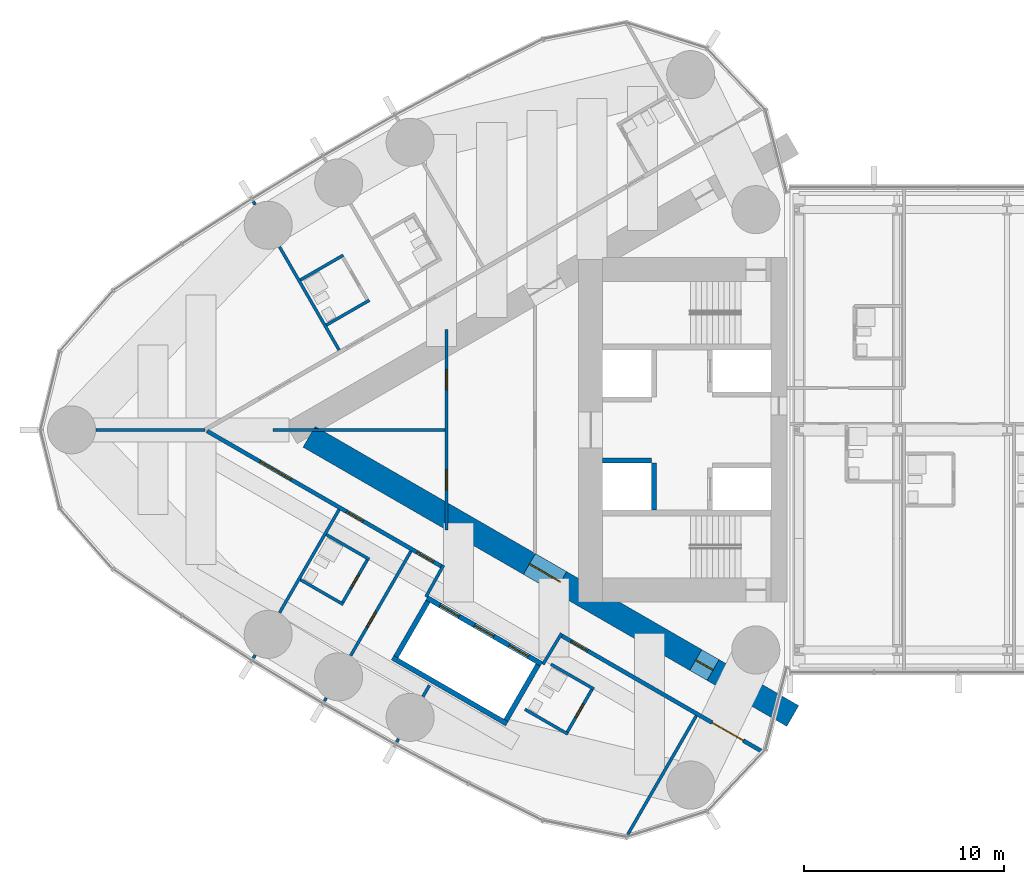
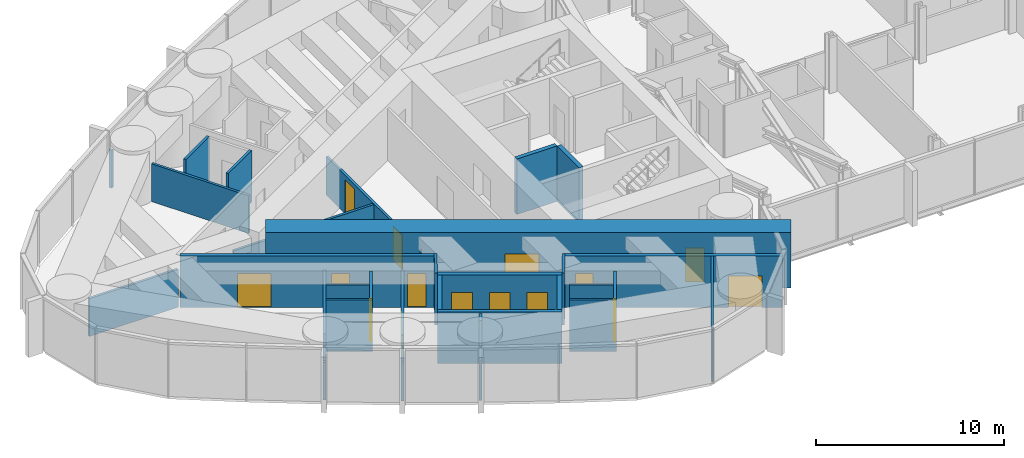
# One storey, part 15 of 24: 31 walls, 15 doors, 15 openings.
"""IFC4 building model written with IfcOpenShell, lengths in metres."""

from ifc_helpers import new_model, si_unit, direction, frame, frame_2d, origin, place, context, subcontext, project, spatial, rectangle, extrude, material, layer, layer_set, type_object, element, fill, save


model = new_model("IFC4")

# Units and contexts
model_context = context("Model", 3, precision=1e-05, world=origin(), true_north=direction((0.0, 1.0)))
body_context = subcontext(model_context, "Body", "Model", "MODEL_VIEW")
ifc_project = project(units=[si_unit("LENGTHUNIT", "METRE"), si_unit("AREAUNIT", "SQUARE_METRE"), si_unit("VOLUMEUNIT", "CUBIC_METRE"), si_unit("PLANEANGLEUNIT", "RADIAN"), si_unit("MASSUNIT", "GRAM", prefix="KILO")], contexts=[model_context])

# Site, building, storey
site_placement = place(None, origin())
site = spatial("IfcSite", under=ifc_project, at=site_placement, CompositionType="ELEMENT")
building_placement = place(site_placement, origin())
building = spatial("IfcBuilding", under=site, at=building_placement, Name="Lancet Gate Hotel", CompositionType="ELEMENT")
storey_placement = place(building_placement, frame((0.0, 0.0, 244.10009765625)))
storey = spatial("IfcBuildingStorey", under=building, at=storey_placement, Name="L65", CompositionType="ELEMENT", Elevation=244.10009765625)

# Walls
ifc_material_1 = material(Name="Moisture resistant board partition")
ifc_layer_1 = layer(ifc_material_1, 0.14990234375)
ifc_layer_set_1 = layer_set([ifc_layer_1], Name="Bathroom wall 150")
wall_type_1 = type_object("IfcWallType", Name="Bathroom wall 150", PredefinedType="PARTITIONING", material=ifc_layer_set_1)
for number, where, z_axis, x_axis, name in (
    (1, (-49.657958984375, 8.723876953125, 0.0), (0.0, 0.0, 1.0), (-0.866031185235, -0.4999899861, 0.0), "T1 bathroom wall 150 L65"),
    (2, (-48.35791015625, 6.47216796875, 0.0), (0.0, 0.0, 1.0), (-0.866073894602, -0.499916002032, 0.0), "T1 bathroom wall 150 L65"),
    (3, (-49.657958984375, -8.723876953125, 0.0), (0.0, 0.0, 1.0), (-0.866031185235, 0.4999899861, 0.0), "T1 bathroom wall 150 L65"),
):
    element("IfcWall", number, at=place(storey_placement, frame(where, z_axis=z_axis, x_axis=x_axis)), inside=storey, type_object=wall_type_1, Name=name, PredefinedType="PARTITIONING", context=body_context, shape_type="SweptSolid", body=[
        extrude(rectangle(XDim=2.47509765625, YDim=0.14990234375, at=frame_2d((1.237548828125, 0.0))), origin(), (0.0, 0.0, 1.0), 3.349853515625),
    ])

# Wall, opening, door
wall_1_placement = place(storey_placement, frame((-48.4228515625, -6.434814453125, 0.0), z_axis=(0.0, 0.0, 1.0), x_axis=(-0.500006934395, -0.866021400173, 0.0)))
wall_1 = element("IfcWall", 4, at=wall_1_placement, inside=storey, type_object=wall_type_1, Name="T1 bathroom wall 150 L65", PredefinedType="PARTITIONING", context=body_context, shape_type="SweptSolid", body=[
    extrude(rectangle(XDim=2.60009765625, YDim=0.14990234375, at=frame_2d((1.300048828125, 0.0))), origin(), (0.0, 0.0, 1.0), 3.349853515625),
])
opening_1_placement = place(wall_1_placement, frame((0.89990234375, 0.0, 0.0)))
opening_1 = element("IfcOpeningElement", 5, at=opening_1_placement, cuts=wall_1, Name="Opening 6507-B", PredefinedType="OPENING", context=body_context, shape_type="SweptSolid", body=[
    extrude(rectangle(XDim=0.800048828125, YDim=2.199951171875, at=frame_2d((0.39990234375, 1.10009765625))), frame((0.0, 0.0849609375, 0.0), z_axis=(0.0, -1.0, 0.0), x_axis=(1.0, 0.0, 0.0)), (0.0, 0.0, 1.0), 0.169921875),
])
ifc_material_2 = material(Name="Timber door set", Category="wood")
door_type_1 = type_object("IfcDoorType", Name="Bathroom door 800", OperationType="SINGLE_SWING_RIGHT", PredefinedType="DOOR", material=ifc_material_2)
door_1_placement = place(opening_1_placement, origin())
door_1 = element("IfcDoor", 6, at=door_1_placement, inside=storey, type_object=door_type_1, Name="6507-B", OperationType="SINGLE_SWING_RIGHT", OverallHeight=2.199951171875, OverallWidth=0.800048828125, PredefinedType="DOOR", context=body_context, shape_type="SweptSolid", body=[
    extrude(rectangle(XDim=0.800048828125, YDim=2.199951171875, at=frame_2d((0.39990234375, 1.10009765625))), frame((0.0, 0.02490234375, 0.0), z_axis=(0.0, -1.0, 0.0), x_axis=(1.0, 0.0, 0.0)), (0.0, 0.0, 1.0), 0.050048828125),
])
fill(opening_1, door_1)

# Walls
wall_2_placement = place(storey_placement, frame((-48.35791015625, -6.47216796875, 0.0), z_axis=(0.0, 0.0, 1.0), x_axis=(-0.866073894602, 0.499916002032, 0.0)))
element("IfcWall", 7, at=wall_2_placement, inside=storey, type_object=wall_type_1, Name="T1 bathroom wall 150 L65", PredefinedType="PARTITIONING", context=body_context, shape_type="SweptSolid", body=[
    extrude(rectangle(XDim=2.47509765625, YDim=0.14990234375, at=frame_2d((1.237548828125, 0.0))), origin(), (0.0, 0.0, 1.0), 2.5),
])
wall_3_placement = place(storey_placement, frame((-38.43798828125, -15.20166015625, 0.0), z_axis=(0.0, 0.0, 1.0), x_axis=(-0.866073894602, 0.499916002032, 0.0)))
element("IfcWall", 8, at=wall_3_placement, inside=storey, type_object=wall_type_1, Name="T1 bathroom wall 150 L65", PredefinedType="PARTITIONING", context=body_context, shape_type="SweptSolid", body=[
    extrude(rectangle(XDim=2.47509765625, YDim=0.14990234375, at=frame_2d((1.237548828125, 0.0))), origin(), (0.0, 0.0, 1.0), 3.349853515625),
])

# Wall, opening, door
wall_4_placement = place(storey_placement, frame((-37.202880859375, -12.91259765625, 0.0), z_axis=(0.0, 0.0, 1.0), x_axis=(-0.500006934395, -0.866021400173, 0.0)))
wall_4 = element("IfcWall", 9, at=wall_4_placement, inside=storey, type_object=wall_type_1, Name="T1 bathroom wall 150 L65", PredefinedType="PARTITIONING", context=body_context, shape_type="SweptSolid", body=[
    extrude(rectangle(XDim=2.60009765625, YDim=0.14990234375, at=frame_2d((1.300048828125, 0.0))), origin(), (0.0, 0.0, 1.0), 3.349853515625),
])
opening_2_placement = place(wall_4_placement, frame((0.89990234375, 0.0, 0.0)))
opening_2 = element("IfcOpeningElement", 10, at=opening_2_placement, cuts=wall_4, Name="Opening 6509-B", PredefinedType="OPENING", context=body_context, shape_type="SweptSolid", body=[
    extrude(rectangle(XDim=0.800048828125, YDim=2.199951171875, at=frame_2d((0.39990234375, 1.10009765625))), frame((0.0, 0.0849609375, 0.0), z_axis=(0.0, -1.0, 0.0), x_axis=(1.0, 0.0, 0.0)), (0.0, 0.0, 1.0), 0.169921875),
])
door_2_placement = place(opening_2_placement, origin())
door_2 = element("IfcDoor", 11, at=door_2_placement, inside=storey, type_object=door_type_1, Name="6509-B", OperationType="SINGLE_SWING_RIGHT", OverallHeight=2.199951171875, OverallWidth=0.800048828125, PredefinedType="DOOR", context=body_context, shape_type="SweptSolid", body=[
    extrude(rectangle(XDim=0.800048828125, YDim=2.199951171875, at=frame_2d((0.39990234375, 1.10009765625))), frame((0.0, 0.02490234375, 0.0), z_axis=(0.0, -1.0, 0.0), x_axis=(1.0, 0.0, 0.0)), (0.0, 0.0, 1.0), 0.050048828125),
])
fill(opening_2, door_2)

# Wall
wall_5_placement = place(storey_placement, frame((-37.137939453125, -12.9501953125, 0.0), z_axis=(0.0, 0.0, 1.0), x_axis=(-0.866031185235, 0.4999899861, 0.0)))
element("IfcWall", 12, at=wall_5_placement, inside=storey, type_object=wall_type_1, Name="T1 bathroom wall 150 L65", PredefinedType="PARTITIONING", context=body_context, shape_type="SweptSolid", body=[
    extrude(rectangle(XDim=2.47509765625, YDim=0.14990234375, at=frame_2d((1.237548828125, 0.0))), origin(), (0.0, 0.0, 1.0), 2.5),
])

# Wall, openings, doors
ifc_material_3 = material(Name="Concrete C70/85", Category="concrete")
ifc_layer_2 = layer(ifc_material_3, 1.199951171875)
ifc_layer_set_2 = layer_set([ifc_layer_2], Name="Buttress wall 1200")
wall_type_2 = type_object("IfcWallType", Name="Buttress wall 1200", PredefinedType="SHEAR", material=ifc_layer_set_2)
wall_6_placement = place(storey_placement, frame((-27.199951171875, -14.300048828125, 0.0), z_axis=(0.0, 0.0, 1.0), x_axis=(-0.866024021859, 0.500002393557, 0.0)))
wall_6 = element("IfcWall", 13, at=wall_6_placement, inside=storey, type_object=wall_type_2, Name="T1 buttress wall N L65", PredefinedType="SHEAR", context=body_context, shape_type="SweptSolid", body=[
    extrude(rectangle(XDim=27.906982421875, YDim=1.199951171875, at=frame_2d((13.95361328125, 0.0))), origin(), (0.0, 0.0, 1.0), 3.599853515625),
])
opening_3_placement = place(wall_6_placement, frame((4.60009765625, 0.0, 0.0)))
opening_3 = element("IfcOpeningElement", 14, at=opening_3_placement, cuts=wall_6, Name="Opening T1-L65-LN", PredefinedType="OPENING", context=body_context, shape_type="SweptSolid", body=[
    extrude(rectangle(XDim=1.0, YDim=2.199951171875, at=frame_2d((0.5, 1.10009765625))), frame((0.0, 0.60986328125, 0.0), z_axis=(0.0, -1.0, 0.0), x_axis=(1.0, 0.0, 0.0)), (0.0, 0.0, 1.0), 1.219970703125),
])
opening_4_placement = place(wall_6_placement, frame((13.39453125, 0.0, 0.0)))
opening_4 = element("IfcOpeningElement", 15, at=opening_4_placement, cuts=wall_6, Name="Opening T1-L65-LHN", PredefinedType="OPENING", context=body_context, shape_type="SweptSolid", body=[
    extrude(rectangle(XDim=1.800048828125, YDim=2.199951171875, at=frame_2d((0.89990234375, 1.10009765625))), frame((0.0, 0.60986328125, 0.0), z_axis=(0.0, -1.0, 0.0), x_axis=(1.0, 0.0, 0.0)), (0.0, 0.0, 1.0), 1.219970703125),
])
ifc_material_4 = material(Name="Timber door set", Category="wood")
door_type_2 = type_object("IfcDoorType", Name="Lobby double door 1800", OperationType="DOUBLE_DOOR_SINGLE_SWING", PredefinedType="DOOR", material=ifc_material_4)
door_3_placement = place(opening_4_placement, origin())
door_3 = element("IfcDoor", 16, at=door_3_placement, inside=storey, type_object=door_type_2, Name="T1-L65-LHN", OperationType="DOUBLE_DOOR_SINGLE_SWING", OverallHeight=2.199951171875, OverallWidth=1.800048828125, PredefinedType="DOOR", context=body_context, shape_type="SweptSolid", body=[
    extrude(rectangle(XDim=1.800048828125, YDim=2.199951171875, at=frame_2d((0.89990234375, 1.10009765625))), frame((0.0, 0.02490234375, 0.0), z_axis=(0.0, -1.0, 0.0), x_axis=(1.0, 0.0, 0.0)), (0.0, 0.0, 1.0), 0.050048828125),
])
fill(opening_4, door_3)
ifc_material_5 = material(Name="Timber door set", Category="wood")
door_type_3 = type_object("IfcDoorType", Name="Stair lobby door 1000", OperationType="SINGLE_SWING_LEFT", PredefinedType="DOOR", material=ifc_material_5)
door_4_placement = place(opening_3_placement, origin())
door_4 = element("IfcDoor", 17, at=door_4_placement, inside=storey, type_object=door_type_3, Name="T1-L65-LN", OperationType="SINGLE_SWING_LEFT", OverallHeight=2.199951171875, OverallWidth=1.0, PredefinedType="DOOR", context=body_context, shape_type="SweptSolid", body=[
    extrude(rectangle(XDim=1.0, YDim=2.199951171875, at=frame_2d((0.5, 1.10009765625))), frame((0.0, 0.02490234375, 0.0), z_axis=(0.0, -1.0, 0.0), x_axis=(1.0, 0.0, 0.0)), (0.0, 0.0, 1.0), 0.050048828125),
])
fill(opening_3, door_4)

ifc_material_6 = material(Name="Gypsum board partition")
ifc_layer_3 = layer(ifc_material_6, 0.199951171875)
ifc_layer_set_3 = layer_set([ifc_layer_3], Name="Corridor wall 200")
wall_type_3 = type_object("IfcWallType", Name="Corridor wall 200", PredefinedType="PARTITIONING", material=ifc_layer_set_3)
wall_7_placement = place(storey_placement, frame((-28.737060546875, -16.068359375, 0.0), z_axis=(0.0, 0.0, 1.0), x_axis=(-0.866029399323, 0.49999307946, 0.0)))
wall_7 = element("IfcWall", 18, at=wall_7_placement, inside=storey, type_object=wall_type_3, Name="T1 corridor wall 200 L65", PredefinedType="PARTITIONING", context=body_context, shape_type="SweptSolid", body=[
    extrude(rectangle(XDim=11.609619140625, YDim=0.199951171875, at=frame_2d((5.8046875, 0.0))), origin(), (0.0, 0.0, 1.0), 3.349853515625),
])
opening_5_placement = place(wall_7_placement, frame((1.080078125, 0.0, 0.0)))
opening_5 = element("IfcOpeningElement", 19, at=opening_5_placement, cuts=wall_7, Name="Opening 6510-E", PredefinedType="OPENING", context=body_context, shape_type="SweptSolid", body=[
    extrude(rectangle(XDim=1.800048828125, YDim=2.0400390625, at=frame_2d((0.89990234375, 1.02001953125))), frame((0.0, 0.10986328125, 0.0), z_axis=(0.0, -1.0, 0.0), x_axis=(1.0, 0.0, 0.0)), (0.0, 0.0, 1.0), 0.219970703125),
])
opening_6_placement = place(wall_7_placement, frame((10.0595703125, 0.0, 0.0)))
opening_6 = element("IfcOpeningElement", 20, at=opening_6_placement, cuts=wall_7, Name="Opening 6509-E", PredefinedType="OPENING", context=body_context, shape_type="SweptSolid", body=[
    extrude(rectangle(XDim=0.949951171875, YDim=2.199951171875, at=frame_2d((0.47509765625, 1.10009765625))), frame((0.0, 0.10986328125, 0.0), z_axis=(0.0, -1.0, 0.0), x_axis=(1.0, 0.0, 0.0)), (0.0, 0.0, 1.0), 0.219970703125),
])
ifc_material_7 = material(Name="Timber door set", Category="wood")
door_type_4 = type_object("IfcDoorType", Name="Double door 1800, 2040 high", OperationType="DOUBLE_DOOR_SINGLE_SWING", PredefinedType="DOOR", material=ifc_material_7)
door_5_placement = place(opening_5_placement, origin())
door_5 = element("IfcDoor", 21, at=door_5_placement, inside=storey, type_object=door_type_4, Name="6510-E", OperationType="DOUBLE_DOOR_SINGLE_SWING", OverallHeight=2.0400390625, OverallWidth=1.800048828125, PredefinedType="DOOR", context=body_context, shape_type="SweptSolid", body=[
    extrude(rectangle(XDim=1.800048828125, YDim=2.0400390625, at=frame_2d((0.89990234375, 1.02001953125))), frame((0.0, 0.02490234375, 0.0), z_axis=(0.0, -1.0, 0.0), x_axis=(1.0, 0.0, 0.0)), (0.0, 0.0, 1.0), 0.050048828125),
])
fill(opening_5, door_5)
ifc_material_8 = material(Name="Timber door set", Category="wood")
door_type_5 = type_object("IfcDoorType", Name="Guest room entry door 950", OperationType="SINGLE_SWING_LEFT", PredefinedType="DOOR", material=ifc_material_8)
door_6_placement = place(opening_6_placement, origin())
door_6 = element("IfcDoor", 22, at=door_6_placement, inside=storey, type_object=door_type_5, Name="6509-E", OperationType="SINGLE_SWING_LEFT", OverallHeight=2.199951171875, OverallWidth=0.949951171875, PredefinedType="DOOR", context=body_context, shape_type="SweptSolid", body=[
    extrude(rectangle(XDim=0.949951171875, YDim=2.199951171875, at=frame_2d((0.47509765625, 1.10009765625))), frame((0.0, 0.02490234375, 0.0), z_axis=(0.0, -1.0, 0.0), x_axis=(1.0, 0.0, 0.0)), (0.0, 0.0, 1.0), 0.050048828125),
])
fill(opening_6, door_6)

wall_8_placement = place(storey_placement, frame((-44.715087890625, -6.843505859375, 0.0), z_axis=(0.0, 0.0, 1.0), x_axis=(-0.866025261224, 0.500000246922, 0.0)))
wall_8 = element("IfcWall", 23, at=wall_8_placement, inside=storey, type_object=wall_type_3, Name="T1 corridor wall 200 L65", PredefinedType="PARTITIONING", context=body_context, shape_type="SweptSolid", body=[
    extrude(rectangle(XDim=13.56689453125, YDim=0.199951171875, at=frame_2d((6.783447265625, 0.0))), origin(), (0.0, 0.0, 1.0), 3.349853515625),
])
opening_7_placement = place(wall_8_placement, frame((8.71630859375, 0.0, 0.0)))
opening_7 = element("IfcOpeningElement", 24, at=opening_7_placement, cuts=wall_8, Name="Opening 6506-E", PredefinedType="OPENING", context=body_context, shape_type="SweptSolid", body=[
    extrude(rectangle(XDim=1.800048828125, YDim=2.199951171875, at=frame_2d((0.89990234375, 1.10009765625))), frame((0.0, 0.10986328125, 0.0), z_axis=(0.0, -1.0, 0.0), x_axis=(1.0, 0.0, 0.0)), (0.0, 0.0, 1.0), 0.219970703125),
])
opening_8_placement = place(wall_8_placement, frame((4.5654296875, 0.0, 0.0)))
opening_8 = element("IfcOpeningElement", 25, at=opening_8_placement, cuts=wall_8, Name="Opening 6507-E", PredefinedType="OPENING", context=body_context, shape_type="SweptSolid", body=[
    extrude(rectangle(XDim=0.949951171875, YDim=2.199951171875, at=frame_2d((0.47509765625, 1.10009765625))), frame((0.0, 0.10986328125, 0.0), z_axis=(0.0, -1.0, 0.0), x_axis=(1.0, 0.0, 0.0)), (0.0, 0.0, 1.0), 0.219970703125),
])
opening_9_placement = place(wall_8_placement, frame((0.5, 0.0, 0.0)))
opening_9 = element("IfcOpeningElement", 26, at=opening_9_placement, cuts=wall_8, Name="Opening T1-L65-LO1", PredefinedType="OPENING", context=body_context, shape_type="SweptSolid", body=[
    extrude(rectangle(XDim=0.967041015625, YDim=2.199951171875, at=frame_2d((0.4833984375, 1.10009765625))), frame((0.0, 0.10986328125, 0.0), z_axis=(0.0, -1.0, 0.0), x_axis=(1.0, 0.0, 0.0)), (0.0, 0.0, 1.0), 0.219970703125),
])
ifc_material_9 = material(Name="Timber door set", Category="wood")
door_type_6 = type_object("IfcDoorType", Name="Double door 1800", OperationType="DOUBLE_DOOR_SINGLE_SWING", PredefinedType="DOOR", material=ifc_material_9)
door_7_placement = place(opening_7_placement, origin())
door_7 = element("IfcDoor", 27, at=door_7_placement, inside=storey, type_object=door_type_6, Name="6506-E", OperationType="DOUBLE_DOOR_SINGLE_SWING", OverallHeight=2.199951171875, OverallWidth=1.800048828125, PredefinedType="DOOR", context=body_context, shape_type="SweptSolid", body=[
    extrude(rectangle(XDim=1.800048828125, YDim=2.199951171875, at=frame_2d((0.89990234375, 1.10009765625))), frame((0.0, 0.02490234375, 0.0), z_axis=(0.0, -1.0, 0.0), x_axis=(1.0, 0.0, 0.0)), (0.0, 0.0, 1.0), 0.050048828125),
])
fill(opening_7, door_7)
door_8_placement = place(opening_8_placement, origin())
door_8 = element("IfcDoor", 28, at=door_8_placement, inside=storey, type_object=door_type_5, Name="6507-E", OperationType="SINGLE_SWING_LEFT", OverallHeight=2.199951171875, OverallWidth=0.949951171875, PredefinedType="DOOR", context=body_context, shape_type="SweptSolid", body=[
    extrude(rectangle(XDim=0.949951171875, YDim=2.199951171875, at=frame_2d((0.47509765625, 1.10009765625))), frame((0.0, 0.02490234375, 0.0), z_axis=(0.0, -1.0, 0.0), x_axis=(1.0, 0.0, 0.0)), (0.0, 0.0, 1.0), 0.050048828125),
])
fill(opening_8, door_8)
door_9_placement = place(opening_9_placement, origin())
door_9 = element("IfcDoor", 29, at=door_9_placement, inside=storey, type_object=door_type_5, Name="T1-L65-LO1", OperationType="SINGLE_SWING_LEFT", OverallHeight=2.199951171875, OverallWidth=0.967041015625, PredefinedType="DOOR", context=body_context, shape_type="SweptSolid", body=[
    extrude(rectangle(XDim=0.967041015625, YDim=2.199951171875, at=frame_2d((0.4833984375, 1.10009765625))), frame((0.0, 0.02490234375, 0.0), z_axis=(0.0, -1.0, 0.0), x_axis=(1.0, 0.0, 0.0)), (0.0, 0.0, 1.0), 0.050048828125),
])
fill(opening_9, door_9)

ifc_material_10 = material(Name="Gypsum board partition")
ifc_layer_4 = layer(ifc_material_10, 0.25)
ifc_layer_set_4 = layer_set([ifc_layer_4], Name="Lift shaft partition 250")
wall_type_4 = type_object("IfcWallType", Name="Lift shaft partition 250", PredefinedType="PARTITIONING", material=ifc_layer_set_4)
wall_9_placement = place(storey_placement, frame((-39.757568359375, -11.697265625, 0.0), z_axis=(0.0, 0.0, 1.0), x_axis=(-0.866024194504, 0.500002094529, 0.0)))
wall_9 = element("IfcWall", 30, at=wall_9_placement, inside=storey, type_object=wall_type_4, Name="T1 lift shaft wall HL L65", PredefinedType="PARTITIONING", context=body_context, shape_type="SweptSolid", body=[
    extrude(rectangle(XDim=6.60009765625, YDim=0.25, at=frame_2d((3.300048828125, 0.0))), origin(), (0.0, 0.0, 1.0), 3.349853515625),
])
opening_10_placement = place(wall_9_placement, frame((0.75, 0.0, 0.0)))
opening_10 = element("IfcOpeningElement", 31, at=opening_10_placement, cuts=wall_9, Name="Opening T1-HL1-L65", PredefinedType="OPENING", context=body_context, shape_type="SweptSolid", body=[
    extrude(rectangle(XDim=1.10009765625, YDim=2.199951171875, at=frame_2d((0.550048828125, 1.10009765625))), frame((0.0, 0.135009765625, 0.0), z_axis=(0.0, -1.0, 0.0), x_axis=(1.0, 0.0, 0.0)), (0.0, 0.0, 1.0), 0.27001953125),
])
opening_11_placement = place(wall_9_placement, frame((2.75, 0.0, 0.0)))
opening_11 = element("IfcOpeningElement", 32, at=opening_11_placement, cuts=wall_9, Name="Opening T1-HL2-L65", PredefinedType="OPENING", context=body_context, shape_type="SweptSolid", body=[
    extrude(rectangle(XDim=1.10009765625, YDim=2.199951171875, at=frame_2d((0.550048828125, 1.10009765625))), frame((0.0, 0.135009765625, 0.0), z_axis=(0.0, -1.0, 0.0), x_axis=(1.0, 0.0, 0.0)), (0.0, 0.0, 1.0), 0.27001953125),
])
opening_12_placement = place(wall_9_placement, frame((4.75, 0.0, 0.0)))
opening_12 = element("IfcOpeningElement", 33, at=opening_12_placement, cuts=wall_9, Name="Opening T1-HL3-L65", PredefinedType="OPENING", context=body_context, shape_type="SweptSolid", body=[
    extrude(rectangle(XDim=1.10009765625, YDim=2.199951171875, at=frame_2d((0.550048828125, 1.10009765625))), frame((0.0, 0.135009765625, 0.0), z_axis=(0.0, -1.0, 0.0), x_axis=(1.0, 0.0, 0.0)), (0.0, 0.0, 1.0), 0.27001953125),
])
ifc_material_11 = material(Name="Steel door set", Category="steel")
door_type_7 = type_object("IfcDoorType", Name="Lift landing door 1100", OperationType="DOUBLE_DOOR_SLIDING", PredefinedType="USERDEFINED", material=ifc_material_11)
door_10_placement = place(opening_10_placement, origin())
door_10 = element("IfcDoor", 34, at=door_10_placement, inside=storey, type_object=door_type_7, Name="T1-HL1-L65", ObjectType="LIFT LANDING DOOR", OperationType="DOUBLE_DOOR_SLIDING", OverallHeight=2.199951171875, OverallWidth=1.10009765625, PredefinedType="USERDEFINED", context=body_context, shape_type="SweptSolid", body=[
    extrude(rectangle(XDim=1.10009765625, YDim=2.199951171875, at=frame_2d((0.550048828125, 1.10009765625))), frame((0.0, 0.02490234375, 0.0), z_axis=(0.0, -1.0, 0.0), x_axis=(1.0, 0.0, 0.0)), (0.0, 0.0, 1.0), 0.050048828125),
])
fill(opening_10, door_10)
door_11_placement = place(opening_11_placement, origin())
door_11 = element("IfcDoor", 35, at=door_11_placement, inside=storey, type_object=door_type_7, Name="T1-HL2-L65", ObjectType="LIFT LANDING DOOR", OperationType="DOUBLE_DOOR_SLIDING", OverallHeight=2.199951171875, OverallWidth=1.10009765625, PredefinedType="USERDEFINED", context=body_context, shape_type="SweptSolid", body=[
    extrude(rectangle(XDim=1.10009765625, YDim=2.199951171875, at=frame_2d((0.550048828125, 1.10009765625))), frame((0.0, 0.02490234375, 0.0), z_axis=(0.0, -1.0, 0.0), x_axis=(1.0, 0.0, 0.0)), (0.0, 0.0, 1.0), 0.050048828125),
])
fill(opening_11, door_11)
door_12_placement = place(opening_12_placement, origin())
door_12 = element("IfcDoor", 36, at=door_12_placement, inside=storey, type_object=door_type_7, Name="T1-HL3-L65", ObjectType="LIFT LANDING DOOR", OperationType="DOUBLE_DOOR_SLIDING", OverallHeight=2.199951171875, OverallWidth=1.10009765625, PredefinedType="USERDEFINED", context=body_context, shape_type="SweptSolid", body=[
    extrude(rectangle(XDim=1.10009765625, YDim=2.199951171875, at=frame_2d((0.550048828125, 1.10009765625))), frame((0.0, 0.02490234375, 0.0), z_axis=(0.0, -1.0, 0.0), x_axis=(1.0, 0.0, 0.0)), (0.0, 0.0, 1.0), 0.050048828125),
])
fill(opening_12, door_12)

# Walls
wall_10_placement = place(storey_placement, frame((-41.482421875, -14.685791015625, 0.0), z_axis=(0.0, 0.0, 1.0), x_axis=(-0.86603344179, 0.499986077507, 0.0)))
element("IfcWall", 37, at=wall_10_placement, inside=storey, type_object=wall_type_4, Name="T1 lift shaft wall HL L65", PredefinedType="PARTITIONING", context=body_context, shape_type="SweptSolid", body=[
    extrude(rectangle(XDim=6.600341796875, YDim=0.25, at=frame_2d((3.30029296875, 0.0))), origin(), (0.0, 0.0, 1.0), 3.349853515625),
])
for number, where, z_axis, x_axis, name in (
    (38, (-39.92822265625, -11.742919921875, 0.0), (0.0, 0.0, 1.0), (-0.499929347863, -0.866066190972, 0.0), "T1 lift shaft wall HL L65"),
    (39, (-45.427734375, -8.568115234375, 0.0), (0.0, 0.0, 1.0), (-0.499929347863, -0.866066190972, 0.0), "T1 lift shaft wall HL L65"),
):
    element("IfcWall", number, at=place(storey_placement, frame(where, z_axis=z_axis, x_axis=x_axis)), inside=storey, type_object=wall_type_4, Name=name, PredefinedType="PARTITIONING", context=body_context, shape_type="SweptSolid", body=[
        extrude(rectangle(XDim=3.20068359375, YDim=0.25, at=frame_2d((1.600341796875, 0.0))), origin(), (0.0, 0.0, 1.0), 3.349853515625),
    ])
ifc_material_12 = material(Name="Concrete C50/60", Category="concrete")
ifc_layer_5 = layer(ifc_material_12, 0.25)
ifc_layer_set_5 = layer_set([ifc_layer_5], Name="Lift shaft wall 250")
wall_type_5 = type_object("IfcWallType", Name="Lift shaft wall 250", PredefinedType="SHEAR", material=ifc_layer_set_5)
wall_11_placement = place(storey_placement, frame((-34.125, -1.64990234375, 0.0), z_axis=(0.0, 0.0, 1.0), x_axis=(0.0, -1.0, 0.0)))
element("IfcWall", 40, at=wall_11_placement, inside=storey, type_object=wall_type_5, Name="T1 core wall row2-N L65", PredefinedType="SHEAR", context=body_context, shape_type="SweptSolid", body=[
    extrude(rectangle(XDim=2.35009765625, YDim=0.25, at=frame_2d((1.175048828125, 0.0))), origin(), (0.0, 0.0, 1.0), 3.599853515625),
])
wall_12_placement = place(storey_placement, frame((-34.25, -1.52490234375, 0.0), z_axis=(0.0, 0.0, 1.0), x_axis=(-1.0, 0.0, 0.0)))
element("IfcWall", 41, at=wall_12_placement, inside=storey, type_object=wall_type_5, Name="T1 core wall pass2-N L65", PredefinedType="SHEAR", context=body_context, shape_type="SweptSolid", body=[
    extrude(rectangle(XDim=2.449951171875, YDim=0.25, at=frame_2d((1.22509765625, 0.0))), origin(), (0.0, 0.0, 1.0), 3.599853515625),
])
ifc_material_13 = material(Name="Gypsum board partition")
ifc_layer_6 = layer(ifc_material_13, 0.14990234375)
ifc_layer_set_6 = layer_set([ifc_layer_6], Name="Party wall 150")
wall_type_6 = type_object("IfcWallType", Name="Party wall 150", PredefinedType="PARTITIONING", material=ifc_layer_set_6)
wall_13_placement = place(storey_placement, frame((-49.866455078125, 3.98486328125, 0.0), z_axis=(0.0, 0.0, 1.0), x_axis=(-0.500000694566, 0.866025002776, 0.0)))
element("IfcWall", 42, at=wall_13_placement, inside=storey, type_object=wall_type_6, Name="T1 party wall 150 L65", PredefinedType="PARTITIONING", context=body_context, shape_type="SweptSolid", body=[
    extrude(rectangle(XDim=5.94970703125, YDim=0.14990234375, at=frame_2d((2.974853515625, 0.0))), origin(), (0.0, 0.0, 1.0), 2.449951171875),
])
wall_14_placement = place(storey_placement, frame((-54.061279296875, 11.25048828125, 0.0), z_axis=(0.0, 0.0, 1.0), x_axis=(-0.500391173478, 0.865799441849, 0.0)))
element("IfcWall", 43, at=wall_14_placement, inside=storey, type_object=wall_type_6, Name="T1 party wall 150 L65", PredefinedType="PARTITIONING", context=body_context, shape_type="SweptSolid", body=[
    extrude(rectangle(XDim=0.178955078125, YDim=0.14990234375, at=frame_2d((0.08935546875, 0.0))), origin(), (0.0, 0.0, 1.0), 2.449951171875),
])
wall_15_placement = place(storey_placement, frame((-32.021728515625, -14.287353515625, 0.0), z_axis=(0.0, 0.0, 1.0), x_axis=(-0.50000019414, -0.866025291697, 0.0)))
element("IfcWall", 44, at=wall_15_placement, inside=storey, type_object=wall_type_6, Name="T1 party wall 150 L65", PredefinedType="PARTITIONING", context=body_context, shape_type="SweptSolid", body=[
    extrude(rectangle(XDim=6.84814453125, YDim=0.14990234375, at=frame_2d((3.424072265625, 0.0))), origin(), (0.0, 0.0, 1.0), 3.349853515625),
])
wall_16_placement = place(storey_placement, frame((-46.89794921875, -15.438720703125, 0.0), z_axis=(0.0, 0.0, 1.0), x_axis=(-0.500232303069, -0.865891241997, 0.0)))
element("IfcWall", 45, at=wall_16_placement, inside=storey, type_object=wall_type_6, Name="T1 party wall 150 L65", PredefinedType="PARTITIONING", context=body_context, shape_type="SweptSolid", body=[
    extrude(rectangle(XDim=0.1796875, YDim=0.14990234375, at=frame_2d((0.08984375, 0.0))), origin(), (0.0, 0.0, 1.0), 2.449951171875),
])

# Wall, opening, door
wall_17_placement = place(storey_placement, frame((-46.273681640625, -6.05908203125, 0.0), z_axis=(0.0, 0.0, 1.0), x_axis=(-0.500020471368, -0.866013584312, 0.0)))
wall_17 = element("IfcWall", 46, at=wall_17_placement, inside=storey, type_object=wall_type_6, Name="T1 party wall 150 L65", PredefinedType="PARTITIONING", context=body_context, shape_type="SweptSolid", body=[
    extrude(rectangle(XDim=6.027587890625, YDim=0.14990234375, at=frame_2d((3.013671875, 0.0))), origin(), (0.0, 0.0, 1.0), 2.449951171875),
])
opening_13_placement = place(wall_17_placement, frame((3.5, 0.0, 0.0)))
opening_13 = element("IfcOpeningElement", 47, at=opening_13_placement, cuts=wall_17, Name="Opening 6507C", PredefinedType="OPENING", context=body_context, shape_type="SweptSolid", body=[
    extrude(rectangle(XDim=0.89990234375, YDim=2.199951171875, at=frame_2d((0.449951171875, 1.10009765625))), frame((0.0, 0.0849609375, 0.0), z_axis=(0.0, -1.0, 0.0), x_axis=(1.0, 0.0, 0.0)), (0.0, 0.0, 1.0), 0.169921875),
])
ifc_material_14 = material(Name="Timber door set", Category="wood")
door_type_8 = type_object("IfcDoorType", Name="Connecting door 900", OperationType="SINGLE_SWING_LEFT", PredefinedType="DOOR", material=ifc_material_14)
door_13_placement = place(opening_13_placement, origin())
door_13 = element("IfcDoor", 48, at=door_13_placement, inside=storey, type_object=door_type_8, Name="6507C", OperationType="SINGLE_SWING_LEFT", OverallHeight=2.199951171875, OverallWidth=0.89990234375, PredefinedType="DOOR", context=body_context, shape_type="SweptSolid", body=[
    extrude(rectangle(XDim=0.89990234375, YDim=2.199951171875, at=frame_2d((0.449951171875, 1.10009765625))), frame((0.0, 0.02490234375, 0.0), z_axis=(0.0, -1.0, 0.0), x_axis=(1.0, 0.0, 0.0)), (0.0, 0.0, 1.0), 0.050048828125),
])
fill(opening_13, door_13)

# Walls
wall_18_placement = place(storey_placement, frame((-50.507568359375, -13.392333984375, 0.0), z_axis=(0.0, 0.0, 1.0), x_axis=(-0.499644091975, -0.866230789891, 0.0)))
element("IfcWall", 49, at=wall_18_placement, inside=storey, type_object=wall_type_6, Name="T1 party wall 150 L65", PredefinedType="PARTITIONING", context=body_context, shape_type="SweptSolid", body=[
    extrude(rectangle(XDim=0.179931640625, YDim=0.14990234375, at=frame_2d((0.08984375, 0.0))), origin(), (0.0, 0.0, 1.0), 2.449951171875),
])
wall_19_placement = place(storey_placement, frame((-49.866455078125, -3.98486328125, 0.0), z_axis=(0.0, 0.0, 1.0), x_axis=(-0.500000694566, -0.866025002776, 0.0)))
element("IfcWall", 50, at=wall_19_placement, inside=storey, type_object=wall_type_6, Name="T1 party wall 150 L65", PredefinedType="PARTITIONING", context=body_context, shape_type="SweptSolid", body=[
    extrude(rectangle(XDim=5.94970703125, YDim=0.14990234375, at=frame_2d((2.974853515625, 0.0))), origin(), (0.0, 0.0, 1.0), 2.449951171875),
])
wall_20_placement = place(storey_placement, frame((-54.061279296875, -11.25048828125, 0.0), z_axis=(0.0, 0.0, 1.0), x_axis=(-0.500391173478, -0.865799441849, 0.0)))
element("IfcWall", 51, at=wall_20_placement, inside=storey, type_object=wall_type_6, Name="T1 party wall 150 L65", PredefinedType="PARTITIONING", context=body_context, shape_type="SweptSolid", body=[
    extrude(rectangle(XDim=0.178955078125, YDim=0.14990234375, at=frame_2d((0.08935546875, 0.0))), origin(), (0.0, 0.0, 1.0), 2.449951171875),
])
wall_21_placement = place(storey_placement, frame((-56.568359375, 0.0, 0.0), z_axis=(0.0, 0.0, 1.0), x_axis=(-1.0, 0.0, 0.0)))
element("IfcWall", 52, at=wall_21_placement, inside=storey, type_object=wall_type_6, Name="T1 party wall 150 L65", PredefinedType="PARTITIONING", context=body_context, shape_type="SweptSolid", body=[
    extrude(rectangle(XDim=5.446044921875, YDim=0.14990234375, at=frame_2d((2.72314453125, 0.0))), origin(), (0.0, 0.0, 1.0), 2.449951171875),
])
wall_22_placement = place(storey_placement, frame((-45.355712890625, -12.767333984375, 0.0), z_axis=(0.0, 0.0, 1.0), x_axis=(-0.499886366516, -0.866091000168, 0.0)))
element("IfcWall", 53, at=wall_22_placement, inside=storey, type_object=wall_type_6, Name="T1 party wall 150 L65", PredefinedType="PARTITIONING", context=body_context, shape_type="SweptSolid", body=[
    extrude(rectangle(XDim=0.644775390625, YDim=0.14990234375, at=frame_2d((0.322265625, 0.0))), origin(), (0.0, 0.0, 1.0), 3.349853515625),
])
ifc_material_15 = material(Name="Gypsum board partition")
ifc_layer_7 = layer(ifc_material_15, 0.14990234375)
ifc_layer_set_7 = layer_set([ifc_layer_7], Name="Service room wall 150")
wall_type_7 = type_object("IfcWallType", Name="Service room wall 150", PredefinedType="PARTITIONING", material=ifc_layer_set_7)
for number, where, z_axis, x_axis, name in (
    (54, (-39.6826171875, -11.717529296875, 0.0), (0.0, 0.0, 1.0), (0.514336634837, 0.857588377991, 0.0), "T1 service room wall 150 L65"),
    (55, (-44.652099609375, -6.764404296875, 0.0), (0.0, 0.0, 1.0), (-0.485424724123, -0.874278466629, 0.0), "T1 service room wall 150 L65"),
):
    element("IfcWall", number, at=place(storey_placement, frame(where, z_axis=z_axis, x_axis=x_axis)), inside=storey, type_object=wall_type_7, Name=name, PredefinedType="PARTITIONING", context=body_context, shape_type="SweptSolid", body=[
        extrude(rectangle(XDim=1.80517578125, YDim=0.14990234375, at=frame_2d((0.902587890625, 0.0))), origin(), (0.0, 0.0, 1.0), 3.349853515625),
    ])

# Wall, openings, doors
wall_23_placement = place(storey_placement, frame((-44.5, 5.004638671875, 0.0), z_axis=(0.0, 0.0, 1.0), x_axis=(0.0, -1.0, 0.0)))
wall_23 = element("IfcWall", 56, at=wall_23_placement, inside=storey, type_object=wall_type_7, Name="T1 service room wall 150 L65", PredefinedType="PARTITIONING", context=body_context, shape_type="SweptSolid", body=[
    extrude(rectangle(XDim=10.00927734375, YDim=0.14990234375, at=frame_2d((5.004638671875, 0.0))), origin(), (0.0, 0.0, 1.0), 2.5),
])
opening_14_placement = place(wall_23_placement, frame((2.002197265625, 0.0, 0.0)))
opening_14 = element("IfcOpeningElement", 57, at=opening_14_placement, cuts=wall_23, Name="Opening T1-L65-SV", PredefinedType="OPENING", context=body_context, shape_type="SweptSolid", body=[
    extrude(rectangle(XDim=1.0, YDim=2.199951171875, at=frame_2d((0.5, 1.10009765625))), frame((0.0, 0.0849609375, 0.0), z_axis=(0.0, -1.0, 0.0), x_axis=(1.0, 0.0, 0.0)), (0.0, 0.0, 1.0), 0.169921875),
])
opening_15_placement = place(wall_23_placement, frame((7.0068359375, 0.0, 0.0)))
opening_15 = element("IfcOpeningElement", 58, at=opening_15_placement, cuts=wall_23, Name="Opening T1-L65-SV2", PredefinedType="OPENING", context=body_context, shape_type="SweptSolid", body=[
    extrude(rectangle(XDim=1.0, YDim=2.199951171875, at=frame_2d((0.5, 1.10009765625))), frame((0.0, 0.0849609375, 0.0), z_axis=(0.0, -1.0, 0.0), x_axis=(1.0, 0.0, 0.0)), (0.0, 0.0, 1.0), 0.169921875),
])
ifc_material_16 = material(Name="Timber door set", Category="wood")
door_type_9 = type_object("IfcDoorType", Name="Service door 1000", OperationType="SINGLE_SWING_LEFT", PredefinedType="DOOR", material=ifc_material_16)
door_14_placement = place(opening_14_placement, origin())
door_14 = element("IfcDoor", 59, at=door_14_placement, inside=storey, type_object=door_type_9, Name="T1-L65-SV", OperationType="SINGLE_SWING_LEFT", OverallHeight=2.199951171875, OverallWidth=1.0, PredefinedType="DOOR", context=body_context, shape_type="SweptSolid", body=[
    extrude(rectangle(XDim=1.0, YDim=2.199951171875, at=frame_2d((0.5, 1.10009765625))), frame((0.0, 0.02490234375, 0.0), z_axis=(0.0, -1.0, 0.0), x_axis=(1.0, 0.0, 0.0)), (0.0, 0.0, 1.0), 0.050048828125),
])
fill(opening_14, door_14)
door_15_placement = place(opening_15_placement, origin())
door_15 = element("IfcDoor", 60, at=door_15_placement, inside=storey, type_object=door_type_9, Name="T1-L65-SV2", OperationType="SINGLE_SWING_LEFT", OverallHeight=2.199951171875, OverallWidth=1.0, PredefinedType="DOOR", context=body_context, shape_type="SweptSolid", body=[
    extrude(rectangle(XDim=1.0, YDim=2.199951171875, at=frame_2d((0.5, 1.10009765625))), frame((0.0, 0.02490234375, 0.0), z_axis=(0.0, -1.0, 0.0), x_axis=(1.0, 0.0, 0.0)), (0.0, 0.0, 1.0), 0.050048828125),
])
fill(opening_15, door_15)

# Wall
wall_24_placement = place(storey_placement, frame((-44.574951171875, 0.0, 0.0), z_axis=(0.0, 0.0, 1.0), x_axis=(-1.0, 0.0, 0.0)))
element("IfcWall", 61, at=wall_24_placement, inside=storey, type_object=wall_type_7, Name="T1 service room wall 150 L65", PredefinedType="PARTITIONING", context=body_context, shape_type="SweptSolid", body=[
    extrude(rectangle(XDim=8.59326171875, YDim=0.14990234375, at=frame_2d((4.296630859375, 0.0))), origin(), (0.0, 0.0, 1.0), 2.449951171875),
])

save(model, "model.ifc")
